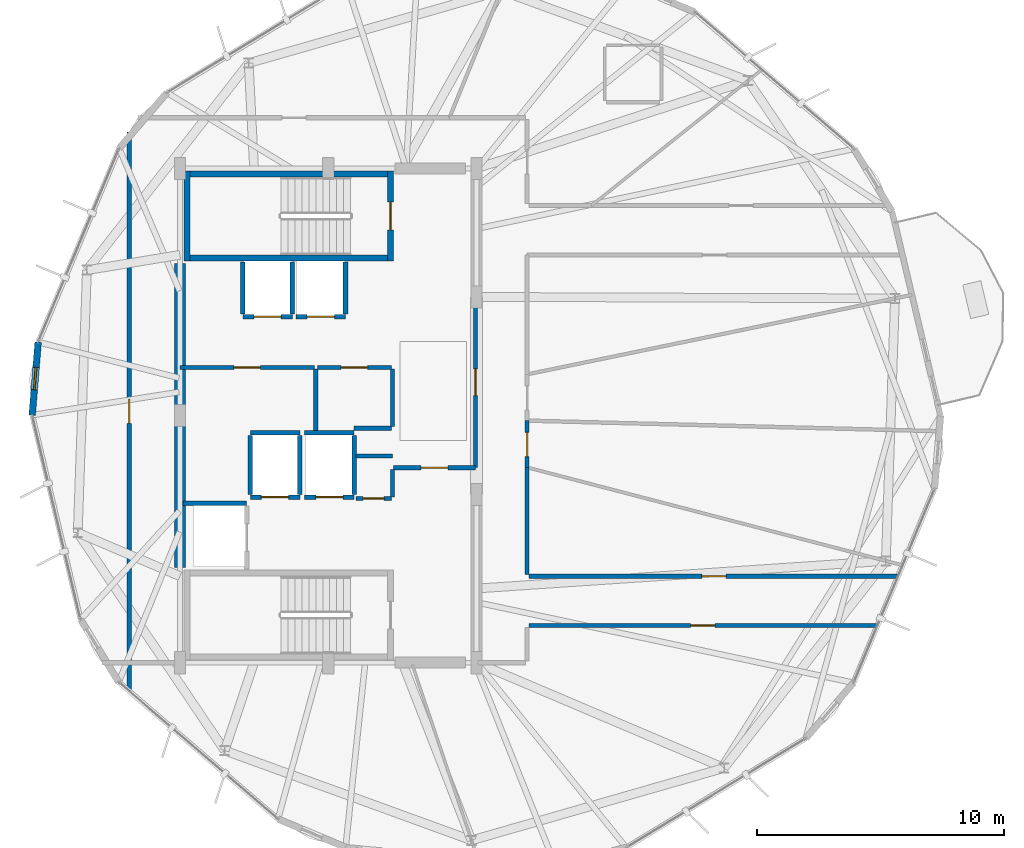
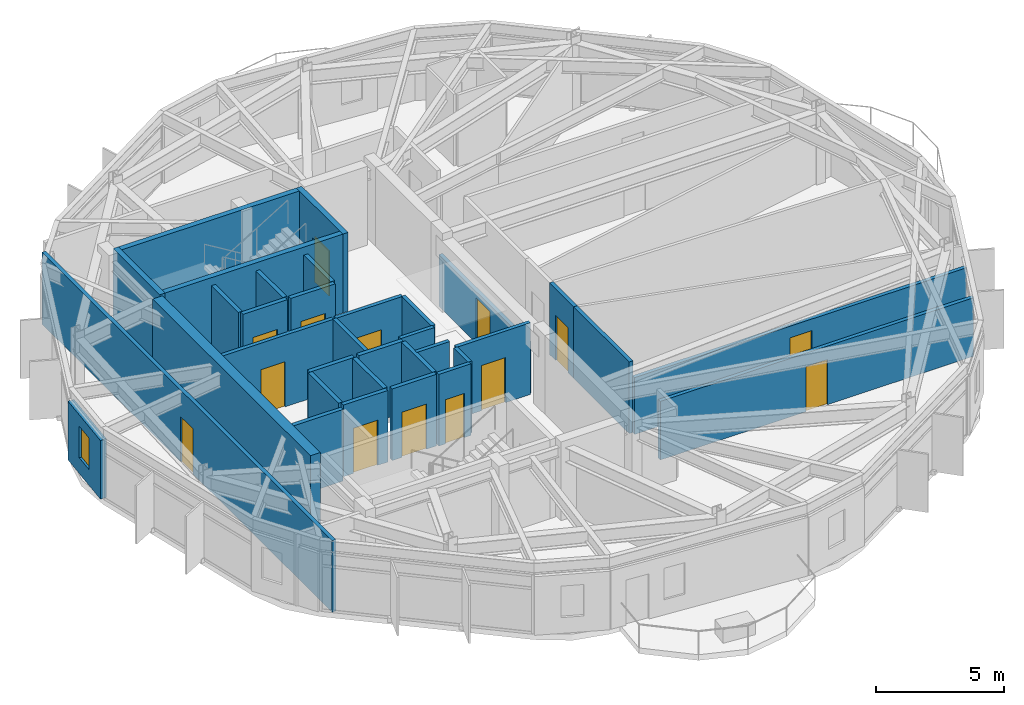
# One storey, part 18 of 23: 34 walls, 14 doors, 1 window, 15 openings.
"""IFC4 building model written with IfcOpenShell, lengths in metres."""

from ifc_helpers import new_model, si_unit, direction, frame, frame_2d, origin, place, context, subcontext, project, spatial, rectangle, extrude, material, layer, layer_set, type_object, element, fill, save


model = new_model("IFC4")

# Units and contexts
model_context = context("Model", 3, precision=1e-05, world=origin(), true_north=direction((0.0, 1.0)))
body_context = subcontext(model_context, "Body", "Model", "MODEL_VIEW")
ifc_project = project(units=[si_unit("LENGTHUNIT", "METRE"), si_unit("AREAUNIT", "SQUARE_METRE"), si_unit("VOLUMEUNIT", "CUBIC_METRE"), si_unit("PLANEANGLEUNIT", "RADIAN"), si_unit("MASSUNIT", "GRAM", prefix="KILO")], contexts=[model_context])

# Site, building, storey
site_placement = place(None, origin())
site = spatial("IfcSite", under=ifc_project, at=site_placement, CompositionType="ELEMENT")
building_placement = place(site_placement, origin())
building = spatial("IfcBuilding", under=site, at=building_placement, Name="Soratama Intermodal Tower", CompositionType="ELEMENT")
storey_placement = place(building_placement, frame((0.0, 0.0, 280.0)))
storey = spatial("IfcBuildingStorey", under=building, at=storey_placement, Name="L71", CompositionType="ELEMENT", Elevation=280.0)

# Wall, opening, window
ifc_material_1 = material(Name="Concrete f'c 42 MPa", Category="concrete")
ifc_layer_1 = layer(ifc_material_1, 0.27001953125)
ifc_layer_set_1 = layer_set([ifc_layer_1], Name="Concrete f'c 42 MPa")
wall_type_1 = type_object("IfcWallType", Name="EW-CRN-270", PredefinedType="SOLIDWALL", material=ifc_layer_set_1)
wall_1_placement = place(storey_placement, frame((26.864013671875, 27.972900390625, 0.0), z_axis=(0.0, 0.0, 1.0), x_axis=(-0.081553869603, -0.99666893518, 0.0)))
wall_1 = element("IfcWall", 1, at=wall_1_placement, inside=storey, type_object=wall_type_1, Name="L71 Corner Closure Wall 03", PredefinedType="SOLIDWALL", context=body_context, shape_type="SweptSolid", body=[
    extrude(rectangle(XDim=2.966552734375, YDim=0.27001953125, at=frame_2d((1.4833984375, 0.0))), origin(), (0.0, 0.0, 1.0), 2.7890625),
])
opening_1_placement = place(wall_1_placement, frame((1.033203125, 0.0, 0.75)))
opening_1 = element("IfcOpeningElement", 2, at=opening_1_placement, cuts=wall_1, Name="Opening WN-6", PredefinedType="OPENING", context=body_context, shape_type="SweptSolid", body=[
    extrude(rectangle(XDim=0.89990234375, YDim=1.5, at=frame_2d((0.449951171875, 0.75))), frame((0.0, 0.14501953125, 0.0), z_axis=(0.0, -1.0, 0.0), x_axis=(1.0, 0.0, 0.0)), (0.0, 0.0, 1.0), 0.2900390625),
])
ifc_material_2 = material(Name="Double-glazed aluminium window", Category="aluminium")
window_type = type_object("IfcWindowType", Name="WN-FAC-900", PartitioningType="SINGLE_PANEL", PredefinedType="WINDOW", material=ifc_material_2)
window_placement = place(opening_1_placement, origin())
window = element("IfcWindow", 3, at=window_placement, inside=storey, type_object=window_type, Name="L71 Corner Window 03", OverallHeight=1.5, OverallWidth=0.89990234375, PartitioningType="SINGLE_PANEL", PredefinedType="WINDOW", context=body_context, shape_type="SweptSolid", body=[
    extrude(rectangle(XDim=0.89990234375, YDim=1.5, at=frame_2d((0.449951171875, 0.75))), frame((0.0, 0.030029296875, 0.0), z_axis=(0.0, -1.0, 0.0), x_axis=(1.0, 0.0, 0.0)), (0.0, 0.0, 1.0), 0.06005859375),
])
fill(opening_1, window)

# Wall, opening, door
ifc_material_3 = material(Name="Fire-rated gypsum stud partition", Category="concrete")
ifc_layer_2 = layer(ifc_material_3, 0.169921875)
ifc_layer_set_2 = layer_set([ifc_layer_2], Name="Fire-rated gypsum stud partition")
wall_type_2 = type_object("IfcWallType", Name="IW-PART-R170", PredefinedType="PARTITIONING", material=ifc_layer_set_2)
wall_2_placement = place(storey_placement, frame((30.550048828125, 13.843017578125, 0.0), z_axis=(0.0, 0.0, 1.0), x_axis=(0.0, 1.0, 0.0)))
wall_2 = element("IfcWall", 4, at=wall_2_placement, inside=storey, type_object=wall_type_2, Name="L71 Partition W-L71-TP001", PredefinedType="PARTITIONING", context=body_context, shape_type="SweptSolid", body=[
    extrude(rectangle(XDim=22.635009765625, YDim=0.169921875, at=frame_2d((11.3173828125, 0.0))), origin(), (0.0, 0.0, 1.0), 3.409912109375),
])
opening_2_placement = place(wall_2_placement, frame((10.843017578125, 0.0, 0.0)))
opening_2 = element("IfcOpeningElement", 5, at=opening_2_placement, cuts=wall_2, Name="Opening ID-5", PredefinedType="OPENING", context=body_context, shape_type="SweptSolid", body=[
    extrude(rectangle(XDim=0.97998046875, YDim=2.14990234375, at=frame_2d((0.489990234375, 1.074951171875))), frame((0.0, 0.094970703125, 0.0), z_axis=(0.0, -1.0, 0.0), x_axis=(1.0, 0.0, 0.0)), (0.0, 0.0, 1.0), 0.18994140625),
])
ifc_material_4 = material(Name="Solid hardwood acoustic door", Category="wood")
door_type_1 = type_object("IfcDoorType", Name="DR-OFF-980", OperationType="NOTDEFINED", PredefinedType="DOOR", material=ifc_material_4)
door_1_placement = place(opening_2_placement, origin())
door_1 = element("IfcDoor", 6, at=door_1_placement, inside=storey, type_object=door_type_1, Name="L71 Door D-L71-TP001", OperationType="SINGLE_SWING_RIGHT", OverallHeight=2.14990234375, OverallWidth=0.97998046875, PredefinedType="DOOR", context=body_context, shape_type="SweptSolid", body=[
    extrude(rectangle(XDim=0.97998046875, YDim=2.14990234375, at=frame_2d((0.489990234375, 1.074951171875))), frame((0.0, 0.02490234375, 0.0), z_axis=(0.0, -1.0, 0.0), x_axis=(1.0, 0.0, 0.0)), (0.0, 0.0, 1.0), 0.050048828125),
])
fill(opening_2, door_1)

wall_3_placement = place(storey_placement, frame((46.719970703125, 18.5, 0.0), z_axis=(0.0, 0.0, 1.0), x_axis=(1.0, 0.0, 0.0)))
wall_3 = element("IfcWall", 7, at=wall_3_placement, inside=storey, type_object=wall_type_2, Name="L71 Partition W-L71-TP006", PredefinedType="PARTITIONING", context=body_context, shape_type="SweptSolid", body=[
    extrude(rectangle(XDim=14.942138671875, YDim=0.169921875, at=frame_2d((7.47119140625, 0.0))), origin(), (0.0, 0.0, 1.0), 2.705078125),
])
opening_3_placement = place(wall_3_placement, frame((6.99609375, 0.0, 0.0)))
opening_3 = element("IfcOpeningElement", 8, at=opening_3_placement, cuts=wall_3, Name="Opening ID-5", PredefinedType="OPENING", context=body_context, shape_type="SweptSolid", body=[
    extrude(rectangle(XDim=0.97998046875, YDim=2.14990234375, at=frame_2d((0.489990234375, 1.074951171875))), frame((0.0, 0.094970703125, 0.0), z_axis=(0.0, -1.0, 0.0), x_axis=(1.0, 0.0, 0.0)), (0.0, 0.0, 1.0), 0.18994140625),
])
door_2_placement = place(opening_3_placement, origin())
door_2 = element("IfcDoor", 9, at=door_2_placement, inside=storey, type_object=door_type_1, Name="L71 Door D-L71-TP003", OperationType="SINGLE_SWING_RIGHT", OverallHeight=2.14990234375, OverallWidth=0.97998046875, PredefinedType="DOOR", context=body_context, shape_type="SweptSolid", body=[
    extrude(rectangle(XDim=0.97998046875, YDim=2.14990234375, at=frame_2d((0.489990234375, 1.074951171875))), frame((0.0, 0.02490234375, 0.0), z_axis=(0.0, -1.0, 0.0), x_axis=(1.0, 0.0, 0.0)), (0.0, 0.0, 1.0), 0.050048828125),
])
fill(opening_3, door_2)

wall_4_placement = place(storey_placement, frame((60.825927734375, 16.5, 0.0), z_axis=(0.0, 0.0, 1.0), x_axis=(-1.0, 0.0, 0.0)))
wall_4 = element("IfcWall", 10, at=wall_4_placement, inside=storey, type_object=wall_type_2, Name="L71 Partition W-L71-TP007", PredefinedType="PARTITIONING", context=body_context, shape_type="SweptSolid", body=[
    extrude(rectangle(XDim=14.10595703125, YDim=0.169921875, at=frame_2d((7.052978515625, 0.0))), origin(), (0.0, 0.0, 1.0), 2.7880859375),
])
opening_4_placement = place(wall_4_placement, frame((6.577880859375, 0.0, 0.0)))
opening_4 = element("IfcOpeningElement", 11, at=opening_4_placement, cuts=wall_4, Name="Opening ID-5", PredefinedType="OPENING", context=body_context, shape_type="SweptSolid", body=[
    extrude(rectangle(XDim=0.97998046875, YDim=2.14990234375, at=frame_2d((0.489990234375, 1.074951171875))), frame((0.0, 0.094970703125, 0.0), z_axis=(0.0, -1.0, 0.0), x_axis=(1.0, 0.0, 0.0)), (0.0, 0.0, 1.0), 0.18994140625),
])
door_3_placement = place(opening_4_placement, origin())
door_3 = element("IfcDoor", 12, at=door_3_placement, inside=storey, type_object=door_type_1, Name="L71 Door D-L71-TP004", OperationType="SINGLE_SWING_LEFT", OverallHeight=2.14990234375, OverallWidth=0.97998046875, PredefinedType="DOOR", context=body_context, shape_type="SweptSolid", body=[
    extrude(rectangle(XDim=0.97998046875, YDim=2.14990234375, at=frame_2d((0.489990234375, 1.074951171875))), frame((0.0, 0.02490234375, 0.0), z_axis=(0.0, -1.0, 0.0), x_axis=(1.0, 0.0, 0.0)), (0.0, 0.0, 1.0), 0.050048828125),
])
fill(opening_4, door_3)

wall_5_placement = place(storey_placement, frame((44.56005859375, 29.800048828125, 0.0), z_axis=(0.0, 0.0, 1.0), x_axis=(0.0, -1.0, 0.0)))
wall_5 = element("IfcWall", 13, at=wall_5_placement, inside=storey, type_object=wall_type_2, Name="L71 Partition W-L71-TP012", PredefinedType="PARTITIONING", context=body_context, shape_type="SweptSolid", body=[
    extrude(rectangle(XDim=6.91015625, YDim=0.169921875, at=frame_2d((3.455078125, 0.0))), origin(), (0.0, 0.0, 1.0), 2.449951171875),
])
opening_5_placement = place(wall_5_placement, frame((2.9150390625, 0.0, 0.0)))
opening_5 = element("IfcOpeningElement", 14, at=opening_5_placement, cuts=wall_5, Name="Opening ID-1", PredefinedType="OPENING", context=body_context, shape_type="SweptSolid", body=[
    extrude(rectangle(XDim=1.080078125, YDim=2.14990234375, at=frame_2d((0.5400390625, 1.074951171875))), frame((0.0, 0.094970703125, 0.0), z_axis=(0.0, -1.0, 0.0), x_axis=(1.0, 0.0, 0.0)), (0.0, 0.0, 1.0), 0.18994140625),
])
ifc_material_5 = material(Name="Solid hardwood acoustic door", Category="wood")
door_type_2 = type_object("IfcDoorType", Name="DR-LOB-FD60", OperationType="NOTDEFINED", PredefinedType="DOOR", material=ifc_material_5)
door_4_placement = place(opening_5_placement, origin())
door_4 = element("IfcDoor", 15, at=door_4_placement, inside=storey, type_object=door_type_2, Name="L71 Door D-L71-TP007", OperationType="SINGLE_SWING_RIGHT", OverallHeight=2.14990234375, OverallWidth=1.080078125, PredefinedType="DOOR", context=body_context, shape_type="SweptSolid", body=[
    extrude(rectangle(XDim=1.080078125, YDim=2.14990234375, at=frame_2d((0.5400390625, 1.074951171875))), frame((0.0, 0.02490234375, 0.0), z_axis=(0.0, -1.0, 0.0), x_axis=(1.0, 0.0, 0.0)), (0.0, 0.0, 1.0), 0.050048828125),
])
fill(opening_5, door_4)

wall_6_placement = place(storey_placement, frame((38.0400390625, 26.93994140625, 0.0), z_axis=(0.0, 0.0, 1.0), x_axis=(-1.0, 0.0, 0.0)))
wall_6 = element("IfcWall", 16, at=wall_6_placement, inside=storey, type_object=wall_type_2, Name="L71 Partition W-L71-TP014", PredefinedType="PARTITIONING", context=body_context, shape_type="SweptSolid", body=[
    extrude(rectangle(XDim=5.43994140625, YDim=0.169921875, at=frame_2d((2.719970703125, 0.0))), origin(), (0.0, 0.0, 1.0), 3.409912109375),
])
opening_6_placement = place(wall_6_placement, frame((2.179931640625, 0.0, 0.0)))
opening_6 = element("IfcOpeningElement", 17, at=opening_6_placement, cuts=wall_6, Name="Opening ID-1", PredefinedType="OPENING", context=body_context, shape_type="SweptSolid", body=[
    extrude(rectangle(XDim=1.080078125, YDim=2.14990234375, at=frame_2d((0.5400390625, 1.074951171875))), frame((0.0, 0.094970703125, 0.0), z_axis=(0.0, -1.0, 0.0), x_axis=(1.0, 0.0, 0.0)), (0.0, 0.0, 1.0), 0.18994140625),
])
door_5_placement = place(opening_6_placement, origin())
door_5 = element("IfcDoor", 18, at=door_5_placement, inside=storey, type_object=door_type_2, Name="L71 Door D-L71-TP008", OperationType="SINGLE_SWING_LEFT", OverallHeight=2.14990234375, OverallWidth=1.080078125, PredefinedType="DOOR", context=body_context, shape_type="SweptSolid", body=[
    extrude(rectangle(XDim=1.080078125, YDim=2.14990234375, at=frame_2d((0.5400390625, 1.074951171875))), frame((0.0, 0.02490234375, 0.0), z_axis=(0.0, -1.0, 0.0), x_axis=(1.0, 0.0, 0.0)), (0.0, 0.0, 1.0), 0.050048828125),
])
fill(opening_6, door_5)

# Wall
wall_7_placement = place(storey_placement, frame((46.64990234375, 22.90087890625, 0.0), z_axis=(0.0, 0.0, 1.0), x_axis=(0.0, -1.0, 0.0)))
element("IfcWall", 19, at=wall_7_placement, inside=storey, type_object=wall_type_2, Name="L71 Partition W-L71-TP016", PredefinedType="PARTITIONING", context=body_context, shape_type="SweptSolid", body=[
    extrude(rectangle(XDim=4.330810546875, YDim=0.169921875, at=frame_2d((2.16552734375, 0.0))), origin(), (0.0, 0.0, 1.0), 3.409912109375),
])

# Wall, opening, door
wall_8_placement = place(storey_placement, frame((41.239990234375, 22.889892578125, 0.0), z_axis=(0.0, 0.0, 1.0), x_axis=(1.0, 0.0, 0.0)))
wall_8 = element("IfcWall", 20, at=wall_8_placement, inside=storey, type_object=wall_type_2, Name="L71 Partition W-L71-TP018", PredefinedType="PARTITIONING", context=body_context, shape_type="SweptSolid", body=[
    extrude(rectangle(XDim=3.320068359375, YDim=0.169921875, at=frame_2d((1.66015625, 0.0))), origin(), (0.0, 0.0, 1.0), 3.409912109375),
])
opening_7_placement = place(wall_8_placement, frame((1.1201171875, 0.0, 0.0)))
opening_7 = element("IfcOpeningElement", 21, at=opening_7_placement, cuts=wall_8, Name="Opening ID-0", PredefinedType="OPENING", context=body_context, shape_type="SweptSolid", body=[
    extrude(rectangle(XDim=1.080078125, YDim=2.14990234375, at=frame_2d((0.5400390625, 1.074951171875))), frame((0.0, 0.094970703125, 0.0), z_axis=(0.0, -1.0, 0.0), x_axis=(1.0, 0.0, 0.0)), (0.0, 0.0, 1.0), 0.18994140625),
])
ifc_material_6 = material(Name="Solid hardwood acoustic door", Category="wood")
door_type_3 = type_object("IfcDoorType", Name="DR-LOB-FD90", OperationType="NOTDEFINED", PredefinedType="DOOR", material=ifc_material_6)
door_6_placement = place(opening_7_placement, origin())
door_6 = element("IfcDoor", 22, at=door_6_placement, inside=storey, type_object=door_type_3, Name="L71 Door D-L71-TP010", OperationType="SINGLE_SWING_LEFT", OverallHeight=2.14990234375, OverallWidth=1.080078125, PredefinedType="DOOR", context=body_context, shape_type="SweptSolid", body=[
    extrude(rectangle(XDim=1.080078125, YDim=2.14990234375, at=frame_2d((0.5400390625, 1.074951171875))), frame((0.0, 0.02490234375, 0.0), z_axis=(0.0, -1.0, 0.0), x_axis=(1.0, 0.0, 0.0)), (0.0, 0.0, 1.0), 0.050048828125),
])
fill(opening_7, door_6)

wall_9_placement = place(storey_placement, frame((41.159912109375, 26.93994140625, 0.0), z_axis=(0.0, 0.0, 1.0), x_axis=(-1.0, 0.0, 0.0)))
wall_9 = element("IfcWall", 23, at=wall_9_placement, inside=storey, type_object=wall_type_2, Name="L71 Partition W-L71-TP021", PredefinedType="PARTITIONING", context=body_context, shape_type="SweptSolid", body=[
    extrude(rectangle(XDim=3.0, YDim=0.169921875, at=frame_2d((1.5, 0.0))), origin(), (0.0, 0.0, 1.0), 3.409912109375),
])
opening_8_placement = place(wall_9_placement, frame((0.9599609375, 0.0, 0.0)))
opening_8 = element("IfcOpeningElement", 24, at=opening_8_placement, cuts=wall_9, Name="Opening ID-1", PredefinedType="OPENING", context=body_context, shape_type="SweptSolid", body=[
    extrude(rectangle(XDim=1.080078125, YDim=2.14990234375, at=frame_2d((0.5400390625, 1.074951171875))), frame((0.0, 0.094970703125, 0.0), z_axis=(0.0, -1.0, 0.0), x_axis=(1.0, 0.0, 0.0)), (0.0, 0.0, 1.0), 0.18994140625),
])
door_7_placement = place(opening_8_placement, origin())
door_7 = element("IfcDoor", 25, at=door_7_placement, inside=storey, type_object=door_type_2, Name="L71 Door D-L71-TP011", OperationType="SINGLE_SWING_RIGHT", OverallHeight=2.14990234375, OverallWidth=1.080078125, PredefinedType="DOOR", context=body_context, shape_type="SweptSolid", body=[
    extrude(rectangle(XDim=1.080078125, YDim=2.14990234375, at=frame_2d((0.5400390625, 1.074951171875))), frame((0.0, 0.02490234375, 0.0), z_axis=(0.0, -1.0, 0.0), x_axis=(1.0, 0.0, 0.0)), (0.0, 0.0, 1.0), 0.050048828125),
])
fill(opening_8, door_7)

# Walls
wall_10_placement = place(storey_placement, frame((38.10009765625, 26.8798828125, 0.0), z_axis=(0.0, 0.0, 1.0), x_axis=(0.0, -1.0, 0.0)))
element("IfcWall", 26, at=wall_10_placement, inside=storey, type_object=wall_type_2, Name="L71 Partition W-L71-TP022", PredefinedType="PARTITIONING", context=body_context, shape_type="SweptSolid", body=[
    extrude(rectangle(XDim=2.579833984375, YDim=0.169921875, at=frame_2d((1.2900390625, 0.0))), origin(), (0.0, 0.0, 1.0), 3.409912109375),
])
wall_11_placement = place(storey_placement, frame((41.199951171875, 24.550048828125, 0.0), z_axis=(0.0, 0.0, 1.0), x_axis=(0.0, 1.0, 0.0)))
element("IfcWall", 27, at=wall_11_placement, inside=storey, type_object=wall_type_2, Name="L71 Partition W-L71-TP024", PredefinedType="PARTITIONING", context=body_context, shape_type="SweptSolid", body=[
    extrude(rectangle(XDim=2.329833984375, YDim=0.169921875, at=frame_2d((1.1650390625, 0.0))), origin(), (0.0, 0.0, 1.0), 3.409912109375),
])

# Wall, opening, door
wall_12_placement = place(storey_placement, frame((46.64990234375, 24.7939453125, 0.0), z_axis=(0.0, 0.0, 1.0), x_axis=(0.0, -1.0, 0.0)))
wall_12 = element("IfcWall", 28, at=wall_12_placement, inside=storey, type_object=wall_type_2, Name="L71 Partition W-L71-TP030", PredefinedType="PARTITIONING", context=body_context, shape_type="SweptSolid", body=[
    extrude(rectangle(XDim=1.89306640625, YDim=0.169921875, at=frame_2d((0.946533203125, 0.0))), origin(), (0.0, 0.0, 1.0), 3.409912109375),
])
opening_9_placement = place(wall_12_placement, frame((0.471923828125, 0.0, 0.0)))
opening_9 = element("IfcOpeningElement", 29, at=opening_9_placement, cuts=wall_12, Name="Opening ID-5", PredefinedType="OPENING", context=body_context, shape_type="SweptSolid", body=[
    extrude(rectangle(XDim=0.97998046875, YDim=2.14990234375, at=frame_2d((0.489990234375, 1.074951171875))), frame((0.0, 0.094970703125, 0.0), z_axis=(0.0, -1.0, 0.0), x_axis=(1.0, 0.0, 0.0)), (0.0, 0.0, 1.0), 0.18994140625),
])
door_8_placement = place(opening_9_placement, origin())
door_8 = element("IfcDoor", 30, at=door_8_placement, inside=storey, type_object=door_type_1, Name="L71 Door D-L71-TP013", OperationType="SINGLE_SWING_RIGHT", OverallHeight=2.14990234375, OverallWidth=0.97998046875, PredefinedType="DOOR", context=body_context, shape_type="SweptSolid", body=[
    extrude(rectangle(XDim=0.97998046875, YDim=2.14990234375, at=frame_2d((0.489990234375, 1.074951171875))), frame((0.0, 0.02490234375, 0.0), z_axis=(0.0, -1.0, 0.0), x_axis=(1.0, 0.0, 0.0)), (0.0, 0.0, 1.0), 0.050048828125),
])
fill(opening_9, door_8)

# Wall
wall_13_placement = place(storey_placement, frame((39.64990234375, 24.485107421875, 0.0), z_axis=(0.0, 0.0, 1.0), x_axis=(1.0, 0.0, 0.0)))
element("IfcWall", 31, at=wall_13_placement, inside=storey, type_object=wall_type_2, Name="L71 Partition W-L71-TP032", PredefinedType="PARTITIONING", context=body_context, shape_type="SweptSolid", body=[
    extrude(rectangle(XDim=1.510009765625, YDim=0.169921875, at=frame_2d((0.7548828125, 0.0))), origin(), (0.0, 0.0, 1.0), 3.409912109375),
])

# Wall, opening, door
wall_14_placement = place(storey_placement, frame((39.719970703125, 21.639892578125, 0.0), z_axis=(0.0, 0.0, 1.0), x_axis=(1.0, 0.0, 0.0)))
wall_14 = element("IfcWall", 32, at=wall_14_placement, inside=storey, type_object=wall_type_2, Name="L71 Partition W-L71-TP033", PredefinedType="PARTITIONING", context=body_context, shape_type="SweptSolid", body=[
    extrude(rectangle(XDim=1.43994140625, YDim=0.169921875, at=frame_2d((0.719970703125, 0.0))), origin(), (0.0, 0.0, 1.0), 3.409912109375),
])
opening_10_placement = place(wall_14_placement, frame((0.294921875, 0.0, 0.0)))
opening_10 = element("IfcOpeningElement", 33, at=opening_10_placement, cuts=wall_14, Name="Opening ID-4", PredefinedType="OPENING", context=body_context, shape_type="SweptSolid", body=[
    extrude(rectangle(XDim=0.85009765625, YDim=2.10009765625, at=frame_2d((0.425048828125, 1.050048828125))), frame((0.0, 0.094970703125, 0.0), z_axis=(0.0, -1.0, 0.0), x_axis=(1.0, 0.0, 0.0)), (0.0, 0.0, 1.0), 0.18994140625),
])
ifc_material_7 = material(Name="Solid hardwood acoustic door", Category="wood")
door_type_4 = type_object("IfcDoorType", Name="DR-BATH-850", OperationType="NOTDEFINED", PredefinedType="DOOR", material=ifc_material_7)
door_9_placement = place(opening_10_placement, origin())
door_9 = element("IfcDoor", 34, at=door_9_placement, inside=storey, type_object=door_type_4, Name="L71 Door D-L71-TP015", OperationType="SINGLE_SWING_RIGHT", OverallHeight=2.10009765625, OverallWidth=0.85009765625, PredefinedType="DOOR", context=body_context, shape_type="SweptSolid", body=[
    extrude(rectangle(XDim=0.85009765625, YDim=2.10009765625, at=frame_2d((0.425048828125, 1.050048828125))), frame((0.0, 0.02490234375, 0.0), z_axis=(0.0, -1.0, 0.0), x_axis=(1.0, 0.0, 0.0)), (0.0, 0.0, 1.0), 0.050048828125),
])
fill(opening_10, door_9)

# Walls
wall_15_placement = place(storey_placement, frame((41.199951171875, 21.699951171875, 0.0), z_axis=(0.0, 0.0, 1.0), x_axis=(0.0, 1.0, 0.0)))
element("IfcWall", 35, at=wall_15_placement, inside=storey, type_object=wall_type_2, Name="L71 Partition W-L71-TP035", PredefinedType="PARTITIONING", context=body_context, shape_type="SweptSolid", body=[
    extrude(rectangle(XDim=1.1201171875, YDim=0.169921875, at=frame_2d((0.56005859375, 0.0))), origin(), (0.0, 0.0, 1.0), 3.409912109375),
])
wall_16_placement = place(storey_placement, frame((41.199951171875, 23.360107421875, 0.0), z_axis=(0.0, 0.0, 1.0), x_axis=(-1.0, 0.0, 0.0)))
element("IfcWall", 36, at=wall_16_placement, inside=storey, type_object=wall_type_2, Name="L71 Partition W-L71-TP036", PredefinedType="PARTITIONING", context=body_context, shape_type="SweptSolid", body=[
    extrude(rectangle(XDim=1.47998046875, YDim=0.169921875, at=frame_2d((0.739990234375, 0.0))), origin(), (0.0, 0.0, 1.0), 3.409912109375),
])

# Wall, opening, door
ifc_material_8 = material(Name="Concrete f'c 42 MPa", Category="concrete")
ifc_layer_3 = layer(ifc_material_8, 0.18505859375)
ifc_layer_set_3 = layer_set([ifc_layer_3], Name="Concrete f'c 42 MPa")
wall_type_3 = type_object("IfcWallType", Name="IW-SHAFT-185", PredefinedType="SOLIDWALL", material=ifc_layer_set_3)
wall_17_placement = place(storey_placement, frame((35.449951171875, 21.699951171875, 0.0), z_axis=(0.0, 0.0, 1.0), x_axis=(1.0, 0.0, 0.0)))
wall_17 = element("IfcWall", 37, at=wall_17_placement, inside=storey, type_object=wall_type_3, Name="L71 FFL-1 Hoistway Wall S", PredefinedType="SOLIDWALL", context=body_context, shape_type="SweptSolid", body=[
    extrude(rectangle(XDim=2.0, YDim=0.18505859375, at=frame_2d((1.0, 0.0))), origin(), (0.0, 0.0, 1.0), 3.409912109375),
])
opening_11_placement = place(wall_17_placement, frame((0.449951171875, 0.0, 0.0)))
opening_11 = element("IfcOpeningElement", 38, at=opening_11_placement, cuts=wall_17, Name="Opening LD-1", PredefinedType="OPENING", context=body_context, shape_type="SweptSolid", body=[
    extrude(rectangle(XDim=1.10009765625, YDim=2.14990234375, at=frame_2d((0.550048828125, 1.074951171875))), frame((0.0, 0.1025390625, 0.0), z_axis=(0.0, -1.0, 0.0), x_axis=(1.0, 0.0, 0.0)), (0.0, 0.0, 1.0), 0.205078125),
])
ifc_material_9 = material(Name="Steel fire door", Category="steel")
door_type_5 = type_object("IfcDoorType", Name="DR-LIFT-SLIDE", OperationType="NOTDEFINED", PredefinedType="DOOR", material=ifc_material_9)
door_10_placement = place(opening_11_placement, origin())
door_10 = element("IfcDoor", 39, at=door_10_placement, inside=storey, type_object=door_type_5, Name="L71 FFL-1 Sliding Landing Door", OperationType="SLIDING_TO_LEFT", OverallHeight=2.14990234375, OverallWidth=1.10009765625, PredefinedType="DOOR", context=body_context, shape_type="SweptSolid", body=[
    extrude(rectangle(XDim=1.10009765625, YDim=2.14990234375, at=frame_2d((0.550048828125, 1.074951171875))), frame((0.0, 0.02490234375, 0.0), z_axis=(0.0, -1.0, 0.0), x_axis=(1.0, 0.0, 0.0)), (0.0, 0.0, 1.0), 0.050048828125),
])
fill(opening_11, door_10)

# Walls
wall_18_placement = place(storey_placement, frame((35.449951171875, 24.300048828125, 0.0), z_axis=(0.0, 0.0, 1.0), x_axis=(1.0, 0.0, 0.0)))
element("IfcWall", 40, at=wall_18_placement, inside=storey, type_object=wall_type_3, Name="L71 FFL-1 Hoistway Wall N", PredefinedType="SOLIDWALL", context=body_context, shape_type="SweptSolid", body=[
    extrude(rectangle(XDim=2.0, YDim=0.18505859375, at=frame_2d((1.0, 0.0))), origin(), (0.0, 0.0, 1.0), 3.409912109375),
])
for number, where, z_axis, x_axis, name in (
    (41, (35.449951171875, 21.81005859375, 0.0), (0.0, 0.0, 1.0), (0.0, 1.0, 0.0), "L71 FFL-1 Hoistway Wall W"),
    (42, (37.449951171875, 21.81005859375, 0.0), (0.0, 0.0, 1.0), (0.0, 1.0, 0.0), "L71 FFL-1 Hoistway Wall E"),
):
    element("IfcWall", number, at=place(storey_placement, frame(where, z_axis=z_axis, x_axis=x_axis)), inside=storey, type_object=wall_type_3, Name=name, PredefinedType="SOLIDWALL", context=body_context, shape_type="SweptSolid", body=[
        extrude(rectangle(XDim=2.3798828125, YDim=0.18505859375, at=frame_2d((1.18994140625, 0.0))), origin(), (0.0, 0.0, 1.0), 3.409912109375),
    ])

# Wall, opening, door
wall_19_placement = place(storey_placement, frame((37.64990234375, 21.699951171875, 0.0), z_axis=(0.0, 0.0, 1.0), x_axis=(1.0, 0.0, 0.0)))
wall_19 = element("IfcWall", 43, at=wall_19_placement, inside=storey, type_object=wall_type_3, Name="L71 FFL-2 Hoistway Wall S", PredefinedType="SOLIDWALL", context=body_context, shape_type="SweptSolid", body=[
    extrude(rectangle(XDim=2.0, YDim=0.18505859375, at=frame_2d((1.0, 0.0))), origin(), (0.0, 0.0, 1.0), 3.409912109375),
])
opening_12_placement = place(wall_19_placement, frame((0.449951171875, 0.0, 0.0)))
opening_12 = element("IfcOpeningElement", 44, at=opening_12_placement, cuts=wall_19, Name="Opening LD-1", PredefinedType="OPENING", context=body_context, shape_type="SweptSolid", body=[
    extrude(rectangle(XDim=1.10009765625, YDim=2.14990234375, at=frame_2d((0.550048828125, 1.074951171875))), frame((0.0, 0.1025390625, 0.0), z_axis=(0.0, -1.0, 0.0), x_axis=(1.0, 0.0, 0.0)), (0.0, 0.0, 1.0), 0.205078125),
])
door_11_placement = place(opening_12_placement, origin())
door_11 = element("IfcDoor", 45, at=door_11_placement, inside=storey, type_object=door_type_5, Name="L71 FFL-2 Sliding Landing Door", OperationType="SLIDING_TO_LEFT", OverallHeight=2.14990234375, OverallWidth=1.10009765625, PredefinedType="DOOR", context=body_context, shape_type="SweptSolid", body=[
    extrude(rectangle(XDim=1.10009765625, YDim=2.14990234375, at=frame_2d((0.550048828125, 1.074951171875))), frame((0.0, 0.02490234375, 0.0), z_axis=(0.0, -1.0, 0.0), x_axis=(1.0, 0.0, 0.0)), (0.0, 0.0, 1.0), 0.050048828125),
])
fill(opening_12, door_11)

# Walls
wall_20_placement = place(storey_placement, frame((37.64990234375, 24.300048828125, 0.0), z_axis=(0.0, 0.0, 1.0), x_axis=(1.0, 0.0, 0.0)))
element("IfcWall", 46, at=wall_20_placement, inside=storey, type_object=wall_type_3, Name="L71 FFL-2 Hoistway Wall N", PredefinedType="SOLIDWALL", context=body_context, shape_type="SweptSolid", body=[
    extrude(rectangle(XDim=2.0, YDim=0.18505859375, at=frame_2d((1.0, 0.0))), origin(), (0.0, 0.0, 1.0), 3.409912109375),
])
wall_21_placement = place(storey_placement, frame((39.64990234375, 21.81005859375, 0.0), z_axis=(0.0, 0.0, 1.0), x_axis=(0.0, 1.0, 0.0)))
element("IfcWall", 47, at=wall_21_placement, inside=storey, type_object=wall_type_3, Name="L71 FFL-2 Hoistway Wall E", PredefinedType="SOLIDWALL", context=body_context, shape_type="SweptSolid", body=[
    extrude(rectangle(XDim=2.3798828125, YDim=0.18505859375, at=frame_2d((1.18994140625, 0.0))), origin(), (0.0, 0.0, 1.0), 3.409912109375),
])
wall_22_placement = place(storey_placement, frame((32.719970703125, 21.449951171875, 0.0), z_axis=(0.0, 0.0, 1.0), x_axis=(1.0, 0.0, 0.0)))
element("IfcWall", 48, at=wall_22_placement, inside=storey, type_object=wall_type_3, Name="L71 SVL-1 Hoistway Wall N", PredefinedType="SOLIDWALL", context=body_context, shape_type="SweptSolid", body=[
    extrude(rectangle(XDim=2.580078125, YDim=0.18505859375, at=frame_2d((1.2900390625, 0.0))), origin(), (0.0, 0.0, 1.0), 3.409912109375),
])

# Wall, opening, door
wall_23_placement = place(storey_placement, frame((35.14990234375, 29.0, 0.0), z_axis=(0.0, 0.0, 1.0), x_axis=(1.0, 0.0, 0.0)))
wall_23 = element("IfcWall", 49, at=wall_23_placement, inside=storey, type_object=wall_type_3, Name="L71 PL-H1 Hoistway Wall S", PredefinedType="SOLIDWALL", context=body_context, shape_type="SweptSolid", body=[
    extrude(rectangle(XDim=2.0, YDim=0.18505859375, at=frame_2d((1.0, 0.0))), origin(), (0.0, 0.0, 1.0), 3.409912109375),
])
opening_13_placement = place(wall_23_placement, frame((0.449951171875, 0.0, 0.0)))
opening_13 = element("IfcOpeningElement", 50, at=opening_13_placement, cuts=wall_23, Name="Opening LD-1", PredefinedType="OPENING", context=body_context, shape_type="SweptSolid", body=[
    extrude(rectangle(XDim=1.10009765625, YDim=2.14990234375, at=frame_2d((0.550048828125, 1.074951171875))), frame((0.0, 0.1025390625, 0.0), z_axis=(0.0, -1.0, 0.0), x_axis=(1.0, 0.0, 0.0)), (0.0, 0.0, 1.0), 0.205078125),
])
door_12_placement = place(opening_13_placement, origin())
door_12 = element("IfcDoor", 51, at=door_12_placement, inside=storey, type_object=door_type_5, Name="L71 PL-H1 Sliding Landing Door", OperationType="SLIDING_TO_LEFT", OverallHeight=2.14990234375, OverallWidth=1.10009765625, PredefinedType="DOOR", context=body_context, shape_type="SweptSolid", body=[
    extrude(rectangle(XDim=1.10009765625, YDim=2.14990234375, at=frame_2d((0.550048828125, 1.074951171875))), frame((0.0, 0.02490234375, 0.0), z_axis=(0.0, -1.0, 0.0), x_axis=(1.0, 0.0, 0.0)), (0.0, 0.0, 1.0), 0.050048828125),
])
fill(opening_13, door_12)

# Walls
for number, where, z_axis, x_axis, name in (
    (52, (35.14990234375, 29.110107421875, 0.0), (0.0, 0.0, 1.0), (0.0, 1.0, 0.0), "L71 PL-H1 Hoistway Wall W"),
    (53, (37.14990234375, 29.110107421875, 0.0), (0.0, 0.0, 1.0), (0.0, 1.0, 0.0), "L71 PL-H1 Hoistway Wall E"),
):
    element("IfcWall", number, at=place(storey_placement, frame(where, z_axis=z_axis, x_axis=x_axis)), inside=storey, type_object=wall_type_3, Name=name, PredefinedType="SOLIDWALL", context=body_context, shape_type="SweptSolid", body=[
        extrude(rectangle(XDim=2.099853515625, YDim=0.18505859375, at=frame_2d((1.0498046875, 0.0))), origin(), (0.0, 0.0, 1.0), 3.409912109375),
    ])

# Wall, opening, door
wall_24_placement = place(storey_placement, frame((37.300048828125, 29.0, 0.0), z_axis=(0.0, 0.0, 1.0), x_axis=(1.0, 0.0, 0.0)))
wall_24 = element("IfcWall", 54, at=wall_24_placement, inside=storey, type_object=wall_type_3, Name="L71 PL-H2 Hoistway Wall S", PredefinedType="SOLIDWALL", context=body_context, shape_type="SweptSolid", body=[
    extrude(rectangle(XDim=2.0, YDim=0.18505859375, at=frame_2d((1.0, 0.0))), origin(), (0.0, 0.0, 1.0), 3.409912109375),
])
opening_14_placement = place(wall_24_placement, frame((0.449951171875, 0.0, 0.0)))
opening_14 = element("IfcOpeningElement", 55, at=opening_14_placement, cuts=wall_24, Name="Opening LD-1", PredefinedType="OPENING", context=body_context, shape_type="SweptSolid", body=[
    extrude(rectangle(XDim=1.10009765625, YDim=2.14990234375, at=frame_2d((0.550048828125, 1.074951171875))), frame((0.0, 0.1025390625, 0.0), z_axis=(0.0, -1.0, 0.0), x_axis=(1.0, 0.0, 0.0)), (0.0, 0.0, 1.0), 0.205078125),
])
door_13_placement = place(opening_14_placement, origin())
door_13 = element("IfcDoor", 56, at=door_13_placement, inside=storey, type_object=door_type_5, Name="L71 PL-H2 Sliding Landing Door", OperationType="SLIDING_TO_LEFT", OverallHeight=2.14990234375, OverallWidth=1.10009765625, PredefinedType="DOOR", context=body_context, shape_type="SweptSolid", body=[
    extrude(rectangle(XDim=1.10009765625, YDim=2.14990234375, at=frame_2d((0.550048828125, 1.074951171875))), frame((0.0, 0.02490234375, 0.0), z_axis=(0.0, -1.0, 0.0), x_axis=(1.0, 0.0, 0.0)), (0.0, 0.0, 1.0), 0.050048828125),
])
fill(opening_14, door_13)

# Walls
wall_25_placement = place(storey_placement, frame((39.300048828125, 29.110107421875, 0.0), z_axis=(0.0, 0.0, 1.0), x_axis=(0.0, 1.0, 0.0)))
element("IfcWall", 57, at=wall_25_placement, inside=storey, type_object=wall_type_3, Name="L71 PL-H2 Hoistway Wall E", PredefinedType="SOLIDWALL", context=body_context, shape_type="SweptSolid", body=[
    extrude(rectangle(XDim=2.099853515625, YDim=0.18505859375, at=frame_2d((1.0498046875, 0.0))), origin(), (0.0, 0.0, 1.0), 3.409912109375),
])
ifc_material_10 = material(Name="Concrete f'c 56 MPa", Category="concrete")
ifc_layer_4 = layer(ifc_material_10, 0.449951171875)
ifc_layer_set_4 = layer_set([ifc_layer_4], Name="Concrete f'c 56 MPa")
wall_type_4 = type_object("IfcWallType", Name="SW-CORE-450", PredefinedType="SHEAR", material=ifc_layer_set_4)
wall_26_placement = place(storey_placement, frame((32.60009765625, 18.85009765625, 0.0), z_axis=(0.0, 0.0, 1.0), x_axis=(0.0, 1.0, 0.0)))
element("IfcWall", 58, at=wall_26_placement, inside=storey, type_object=wall_type_4, Name="L71 Core Shear Wall CW-WMID", PredefinedType="SHEAR", context=body_context, shape_type="SweptSolid", body=[
    extrude(rectangle(XDim=12.2998046875, YDim=0.449951171875, at=frame_2d((6.14990234375, 0.0))), origin(), (0.0, 0.0, 1.0), 3.75),
])
ifc_material_11 = material(Name="Concrete f'c 56 MPa", Category="concrete")
ifc_layer_5 = layer(ifc_material_11, 0.239990234375)
ifc_layer_set_5 = layer_set([ifc_layer_5], Name="Concrete f'c 56 MPa")
wall_type_5 = type_object("IfcWallType", Name="SW-STAIR-240", PredefinedType="SHEAR", material=ifc_layer_set_5)
wall_27_placement = place(storey_placement, frame((32.8798828125, 31.260009765625, 0.0), z_axis=(0.0, 0.0, 1.0), x_axis=(0.0, 1.0, 0.0)))
element("IfcWall", 59, at=wall_27_placement, inside=storey, type_object=wall_type_5, Name="L71 ST-2 Shaft Shear Wall W", PredefinedType="SHEAR", context=body_context, shape_type="SweptSolid", body=[
    extrude(rectangle(XDim=3.6298828125, YDim=0.239990234375, at=frame_2d((1.81494140625, 0.0))), origin(), (0.0, 0.0, 1.0), 3.75),
])

# Wall, opening, door
wall_28_placement = place(storey_placement, frame((41.1201171875, 31.260009765625, 0.0), z_axis=(0.0, 0.0, 1.0), x_axis=(0.0, 1.0, 0.0)))
wall_28 = element("IfcWall", 60, at=wall_28_placement, inside=storey, type_object=wall_type_5, Name="L71 ST-2 Shaft Shear Wall E", PredefinedType="SHEAR", context=body_context, shape_type="SweptSolid", body=[
    extrude(rectangle(XDim=3.6298828125, YDim=0.239990234375, at=frame_2d((1.81494140625, 0.0))), origin(), (0.0, 0.0, 1.0), 3.75),
])
opening_15_placement = place(wall_28_placement, frame((1.2548828125, 0.0, 0.0)))
opening_15 = element("IfcOpeningElement", 61, at=opening_15_placement, cuts=wall_28, Name="Opening SD-1", PredefinedType="OPENING", context=body_context, shape_type="SweptSolid", body=[
    extrude(rectangle(XDim=1.1201171875, YDim=2.14990234375, at=frame_2d((0.56005859375, 1.074951171875))), frame((0.0, 0.1298828125, 0.0), z_axis=(0.0, -1.0, 0.0), x_axis=(1.0, 0.0, 0.0)), (0.0, 0.0, 1.0), 0.260009765625),
])
ifc_material_12 = material(Name="Steel fire door", Category="steel")
door_type_6 = type_object("IfcDoorType", Name="DR-STAIR-FD90", OperationType="NOTDEFINED", PredefinedType="DOOR", material=ifc_material_12)
door_14_placement = place(opening_15_placement, origin())
door_14 = element("IfcDoor", 62, at=door_14_placement, inside=storey, type_object=door_type_6, Name="L71 ST-2 Exit Stair Door", OperationType="SINGLE_SWING_RIGHT", OverallHeight=2.14990234375, OverallWidth=1.1201171875, PredefinedType="DOOR", context=body_context, shape_type="SweptSolid", body=[
    extrude(rectangle(XDim=1.1201171875, YDim=2.14990234375, at=frame_2d((0.56005859375, 1.074951171875))), frame((0.0, 0.02490234375, 0.0), z_axis=(0.0, -1.0, 0.0), x_axis=(1.0, 0.0, 0.0)), (0.0, 0.0, 1.0), 0.050048828125),
])
fill(opening_15, door_14)

# Walls
for number, where, z_axis, x_axis, name in (
    (63, (33.0, 31.3798828125, 0.0), (0.0, 0.0, 1.0), (1.0, 0.0, 0.0), "L71 ST-2 Shaft Shear Wall S"),
    (64, (33.0, 34.77001953125, 0.0), (0.0, 0.0, 1.0), (1.0, 0.0, 0.0), "L71 ST-2 Shaft Shear Wall N"),
):
    element("IfcWall", number, at=place(storey_placement, frame(where, z_axis=z_axis, x_axis=x_axis)), inside=storey, type_object=wall_type_5, Name=name, PredefinedType="SHEAR", context=body_context, shape_type="SweptSolid", body=[
        extrude(rectangle(XDim=8.0, YDim=0.239990234375, at=frame_2d((4.0, 0.0))), origin(), (0.0, 0.0, 1.0), 3.75),
    ])

save(model, "model.ifc")
